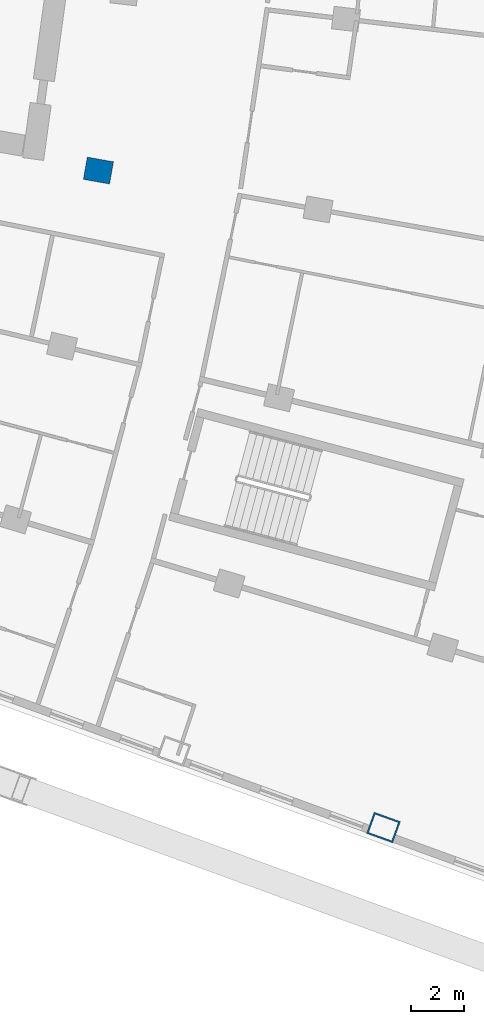
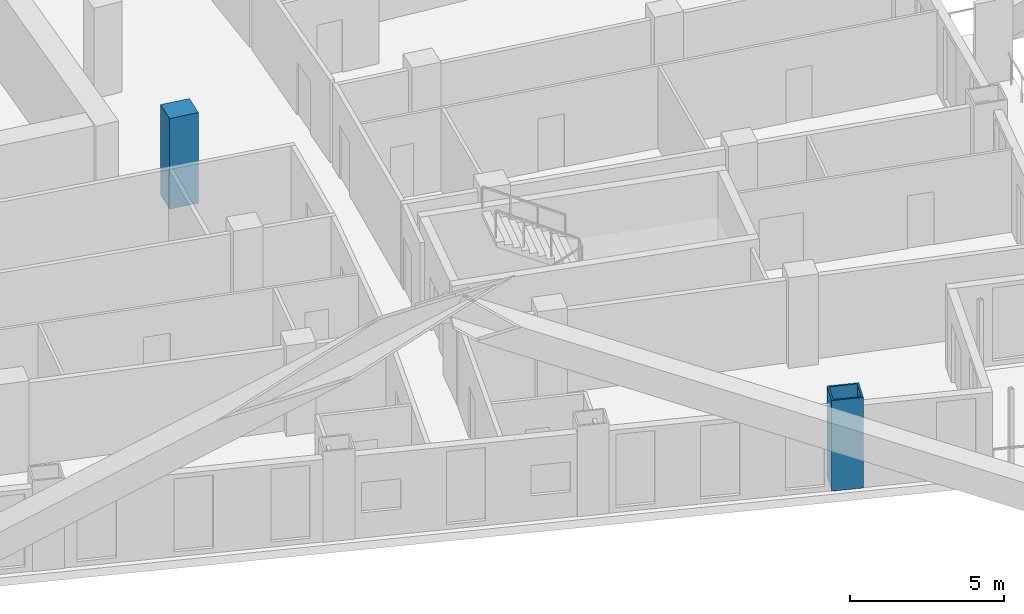
# One storey, part 3 of 24: 2 columns.
"""IFC4 building model written with IfcOpenShell, lengths in metres."""

from ifc_helpers import new_model, si_unit, direction, frame, origin, origin_2d, place, context, subcontext, project, spatial, rectangle, hollow_rectangle, extrude, material, material_profile, profile_set, type_object, element, save


model = new_model("IFC4")

# Units and contexts
model_context = context("Model", 3, precision=1e-05, world=origin(), true_north=direction((0.0, 1.0)))
body_context = subcontext(model_context, "Body", "Model", "MODEL_VIEW")
ifc_project = project(units=[si_unit("LENGTHUNIT", "METRE"), si_unit("AREAUNIT", "SQUARE_METRE"), si_unit("VOLUMEUNIT", "CUBIC_METRE"), si_unit("PLANEANGLEUNIT", "RADIAN"), si_unit("MASSUNIT", "GRAM", prefix="KILO")], contexts=[model_context])

# Site, building, storey
site_placement = place(None, origin())
site = spatial("IfcSite", under=ifc_project, at=site_placement, CompositionType="ELEMENT")
building_placement = place(site_placement, origin())
building = spatial("IfcBuilding", under=site, at=building_placement, Name="Alderwake Tower", CompositionType="ELEMENT")
storey_placement = place(building_placement, frame((0.0, 0.0, 104.0)))
storey = spatial("IfcBuildingStorey", under=building, at=storey_placement, Name="L25", CompositionType="ELEMENT", Elevation=104.0)

# Columns
ifc_material_1 = material(Name="Steel ASTM A572 Grade 50 concrete filled C70/85", Category="concrete")
ifc_material_profile_1 = material_profile(ifc_material_1, hollow_rectangle(XDim=0.85009765625, YDim=1.050048828125, WallThickness=0.06005859375, at=origin_2d()), Name="BOX 1050X850X60")
ifc_profile_set_1 = profile_set([ifc_material_profile_1], Name="Steel ASTM A572 Grade 50 concrete filled C70/85")
column_type_1 = type_object("IfcColumnType", Name="End column Z2", PredefinedType="COLUMN", material=ifc_profile_set_1)
column_1_placement = place(storey_placement, frame((44.765380859375, 16.095703125, 0.0), z_axis=(0.0, 0.0, 1.0), x_axis=(0.338644316206, 0.940914463223, 0.0)))
element("IfcColumn", 1, at=column_1_placement, inside=storey, type_object=column_type_1, Name="Column R01-C4", PredefinedType="COLUMN", context=body_context, shape_type="SweptSolid", body=[
    extrude(hollow_rectangle(XDim=0.85009765625, YDim=1.050048828125, WallThickness=0.06005859375, at=origin_2d()), origin(), (0.0, 0.0, 1.0), 3.60009765625),
])
ifc_material_2 = material(Name="Concrete C70/85", Category="concrete")
ifc_material_profile_2 = material_profile(ifc_material_2, rectangle(XDim=0.85009765625, YDim=1.0, at=origin_2d()), Name="RC 1000X850")
ifc_profile_set_2 = profile_set([ifc_material_profile_2], Name="Concrete C70/85")
column_type_2 = type_object("IfcColumnType", Name="Interior column Z2", PredefinedType="COLUMN", material=ifc_profile_set_2)
column_2_placement = place(storey_placement, frame((34.03125, 40.83837890625, 0.0), z_axis=(0.0, 0.0, 1.0), x_axis=(0.174108800747, 0.984726421654, 0.0)))
element("IfcColumn", 2, at=column_2_placement, inside=storey, type_object=column_type_2, Name="Column R04-C2", PredefinedType="COLUMN", context=body_context, shape_type="SweptSolid", body=[
    extrude(rectangle(XDim=0.85009765625, YDim=1.0, at=origin_2d()), origin(), (0.0, 0.0, 1.0), 3.60009765625),
])

save(model, "model.ifc")
